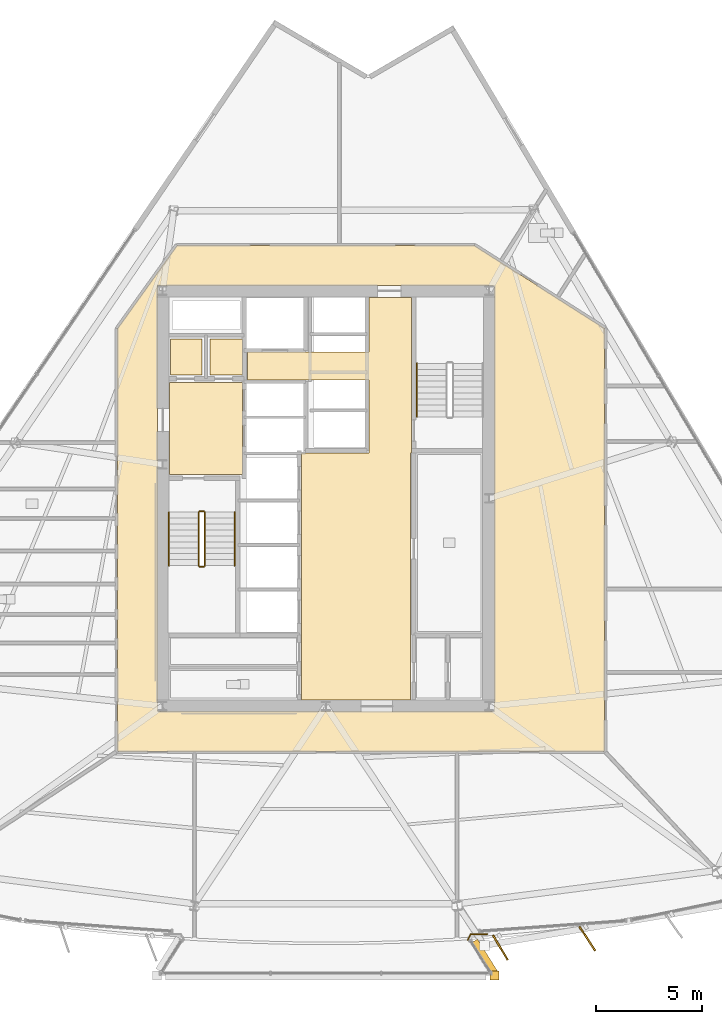
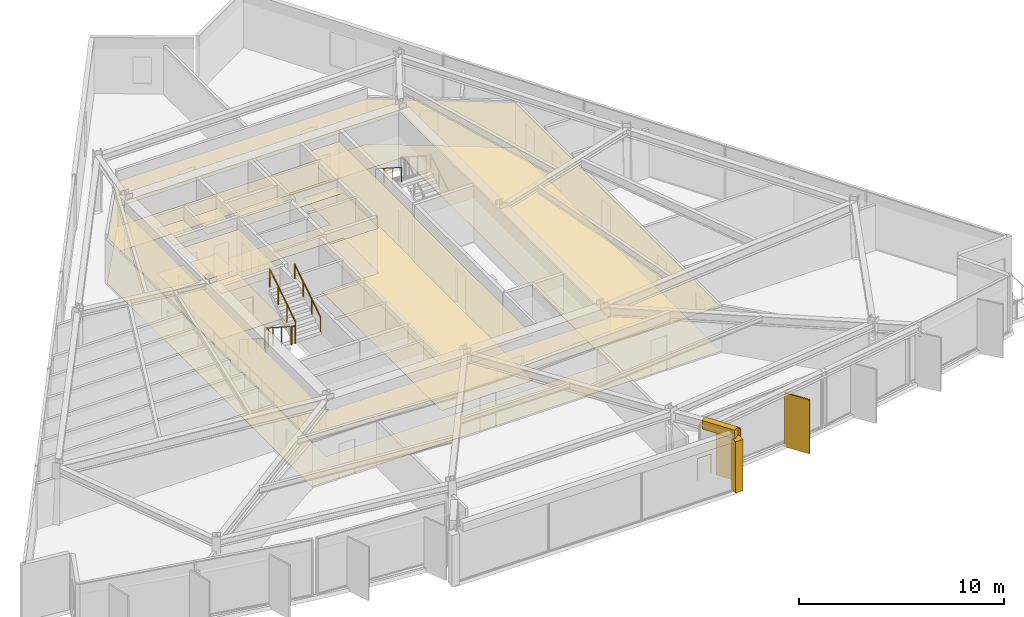
# One storey, part 12 of 15: 12 coverings, 8 railings, 2 shading devices.
"""IFC4 building model written with IfcOpenShell, lengths in metres."""

from ifc_helpers import new_model, si_unit, direction, frame, origin, origin_2d, place, context, subcontext, project, spatial, polyline, rectangle, circle, outline, extrude, material, layer, layer_set, type_object, element, save


model = new_model("IFC4")

# Units and contexts
model_context = context("Model", 3, precision=1e-05, world=origin(), true_north=direction((0.0, 1.0)))
body_context = subcontext(model_context, "Body", "Model", "MODEL_VIEW")
ifc_project = project(units=[si_unit("LENGTHUNIT", "METRE"), si_unit("AREAUNIT", "SQUARE_METRE"), si_unit("VOLUMEUNIT", "CUBIC_METRE"), si_unit("PLANEANGLEUNIT", "RADIAN"), si_unit("MASSUNIT", "GRAM", prefix="KILO")], contexts=[model_context])

# Site, building, storey
site_placement = place(None, origin())
site = spatial("IfcSite", under=ifc_project, at=site_placement, CompositionType="ELEMENT")
building_placement = place(site_placement, origin())
building = spatial("IfcBuilding", under=site, at=building_placement, Name="Savorim Split Tower", CompositionType="ELEMENT")
storey_placement = place(building_placement, frame((0.0, 0.0, 118.5)))
storey = spatial("IfcBuildingStorey", under=building, at=storey_placement, Name="L31", CompositionType="ELEMENT", Elevation=118.5)

# Coverings
ifc_material_1 = material(Name="Mineral Fibre Acoustic Ceiling")
ifc_layer_1 = layer(ifc_material_1, 0.02490234375)
ifc_layer_set_1 = layer_set([ifc_layer_1], Name="COV-CEIL-25")
covering_type_1 = type_object("IfcCoveringType", Name="COV-CEIL-25", PredefinedType="CEILING", material=ifc_layer_set_1)
covering_1_placement = place(storey_placement, frame((0.0, 0.0, 2.669921875)))
element("IfcCovering", 1, at=covering_1_placement, inside=storey, type_object=covering_type_1, Name="L31 Firefighting Lift Lobby Acoustic Ceiling", PredefinedType="CEILING", context=body_context, shape_type="SweptSolid", body=[
    extrude(outline(polyline([(-7.3798828125, 5.8701171875), (-7.3798828125, 1.530029296875), (-3.929931640625, 1.530029296875), (-3.929931640625, 5.8701171875), (-7.3798828125, 5.8701171875)])), origin(), (0.0, 0.0, 1.0), 0.025146484375),
])
covering_2_placement = place(storey_placement, frame((0.0, 0.0, 2.669921875)))
element("IfcCovering", 2, at=covering_2_placement, inside=storey, type_object=covering_type_1, Name="L31 Electrical Riser Acoustic Ceiling", PredefinedType="CEILING", context=body_context, shape_type="SweptSolid", body=[
    extrude(outline(polyline([(-7.320068359375, 7.919921875), (-7.320068359375, 6.22998046875), (-5.830078125, 6.22998046875), (-5.830078125, 7.919921875), (-7.320068359375, 7.919921875)])), origin(), (0.0, 0.0, 1.0), 0.025146484375),
])
covering_3_placement = place(storey_placement, frame((0.0, 0.0, 2.669921875)))
element("IfcCovering", 3, at=covering_3_placement, inside=storey, type_object=covering_type_1, Name="L31 Telecom Riser Acoustic Ceiling", PredefinedType="CEILING", context=body_context, shape_type="SweptSolid", body=[
    extrude(outline(polyline([(-5.469970703125, 7.919921875), (-5.469970703125, 6.22998046875), (-3.929931640625, 6.22998046875), (-3.929931640625, 7.919921875), (-5.469970703125, 7.919921875)])), origin(), (0.0, 0.0, 1.0), 0.025146484375),
])
covering_4_placement = place(storey_placement, frame((0.0, 0.0, 2.669921875)))
element("IfcCovering", 4, at=covering_4_placement, inside=storey, type_object=covering_type_1, Name="L31 Lift Lobby Acoustic Ceiling", PredefinedType="CEILING", context=body_context, shape_type="SweptSolid", body=[
    extrude(outline(polyline([(2.050048828125, 2.550048828125), (-1.14990234375, 2.550048828125), (-1.14990234375, -9.10009765625), (4.0, -9.10009765625), (4.0, 2.550048828125), (4.050048828125, 2.550048828125), (4.050048828125, 5.97998046875), (4.050048828125, 7.300048828125), (4.050048828125, 9.8798828125), (2.050048828125, 9.8798828125), (2.050048828125, 7.300048828125), (-3.699951171875, 7.300048828125), (-3.699951171875, 5.97998046875), (2.050048828125, 5.97998046875), (2.050048828125, 2.550048828125)])), origin(), (0.0, 0.0, 1.0), 0.025146484375),
])
covering_5_placement = place(storey_placement, frame((0.0, 0.0, 2.669921875)))
element("IfcCovering", 5, at=covering_5_placement, inside=storey, type_object=covering_type_1, Name="L31 Corridor Acoustic Ceiling", PredefinedType="CEILING", context=body_context, shape_type="SweptSolid", body=[
    extrude(outline(polyline([(7.009521484375, 12.3291015625), (7.004638671875, 12.329833984375), (7.0, 12.330078125), (-7.0, 12.330078125), (-7.004638671875, 12.329833984375), (-7.009521484375, 12.3291015625), (-7.013916015625, 12.327880859375), (-7.0185546875, 12.326416015625), (-7.022705078125, 12.324462890625), (-7.027099609375, 12.322021484375), (-7.03076171875, 12.3193359375), (-7.034423828125, 12.31640625), (-7.03759765625, 12.312744140625), (-7.04052734375, 12.30908203125), (-9.820556640625, 8.42919921875), (-9.823486328125, 8.4248046875), (-9.82568359375, 8.420166015625), (-9.82763671875, 8.415283203125), (-9.828857421875, 8.410400390625), (-9.82958984375, 8.4052734375), (-9.830078125, 8.39990234375), (-9.830078125, -11.47998046875), (-9.829833984375, -11.48486328125), (-9.8291015625, -11.48974609375), (-9.827880859375, -11.494384765625), (-9.826171875, -11.4990234375), (-9.82421875, -11.503662109375), (-9.821533203125, -11.5078125), (-9.818603515625, -11.51171875), (-9.8154296875, -11.515380859375), (-9.811767578125, -11.518798828125), (-9.807861328125, -11.521484375), (-9.8037109375, -11.524169921875), (-9.799072265625, -11.526123046875), (-9.79443359375, -11.52783203125), (-9.789794921875, -11.529052734375), (-9.784912109375, -11.52978515625), (-9.780029296875, -11.530029296875), (13.10009765625, -11.530029296875), (13.10498046875, -11.52978515625), (13.10986328125, -11.529052734375), (13.114501953125, -11.52783203125), (13.119140625, -11.526123046875), (13.12353515625, -11.524169921875), (13.127685546875, -11.521484375), (13.131591796875, -11.518798828125), (13.135498046875, -11.515380859375), (13.138671875, -11.51171875), (13.1416015625, -11.5078125), (13.14404296875, -11.503662109375), (13.146240234375, -11.4990234375), (13.147705078125, -11.494384765625), (13.14892578125, -11.48974609375), (13.14990234375, -11.48486328125), (13.14990234375, -11.47998046875), (13.14990234375, 8.39990234375), (13.149658203125, 8.405029296875), (13.14892578125, 8.409912109375), (13.147705078125, 8.414794921875), (13.14599609375, 8.41943359375), (13.143798828125, 8.424072265625), (13.14111328125, 8.42822265625), (13.13818359375, 8.432373046875), (13.134765625, 8.43603515625), (13.130859375, 8.439208984375), (13.126708984375, 8.442138671875), (7.02685546875, 12.322265625), (7.022705078125, 12.324462890625), (7.018310546875, 12.326416015625), (7.013916015625, 12.327880859375), (7.009521484375, 12.3291015625)]), holes=[polyline([(-7.949951171875, 10.449951171875), (-7.949951171875, -9.64990234375), (7.949951171875, -9.64990234375), (7.949951171875, 10.449951171875), (-7.949951171875, 10.449951171875)])]), origin(), (0.0, 0.0, 1.0), 0.025146484375),
])
ifc_material_2 = material(Name="Porcelain Stoneware Flooring", Category="masonry")
ifc_layer_2 = layer(ifc_material_2, 0.02001953125)
ifc_layer_set_2 = layer_set([ifc_layer_2], Name="COV-FLOR-20")
covering_type_2 = type_object("IfcCoveringType", Name="COV-FLOR-20", PredefinedType="FLOORING", material=ifc_layer_set_2)
covering_6_placement = place(storey_placement, origin())
element("IfcCovering", 6, at=covering_6_placement, inside=storey, type_object=covering_type_2, Name="L31 Firefighting Lift Lobby Porcelain Flooring", PredefinedType="FLOORING", context=body_context, shape_type="SweptSolid", body=[
    extrude(outline(polyline([(-7.3798828125, 5.8701171875), (-7.3798828125, 1.530029296875), (-3.929931640625, 1.530029296875), (-3.929931640625, 5.8701171875), (-7.3798828125, 5.8701171875)])), origin(), (0.0, 0.0, 1.0), 0.02001953125),
])
covering_7_placement = place(storey_placement, origin())
element("IfcCovering", 7, at=covering_7_placement, inside=storey, type_object=covering_type_2, Name="L31 Electrical Riser Porcelain Flooring", PredefinedType="FLOORING", context=body_context, shape_type="SweptSolid", body=[
    extrude(outline(polyline([(-7.320068359375, 7.919921875), (-7.320068359375, 6.22998046875), (-5.830078125, 6.22998046875), (-5.830078125, 7.919921875), (-7.320068359375, 7.919921875)])), origin(), (0.0, 0.0, 1.0), 0.02001953125),
])
covering_8_placement = place(storey_placement, origin())
element("IfcCovering", 8, at=covering_8_placement, inside=storey, type_object=covering_type_2, Name="L31 Telecom Riser Porcelain Flooring", PredefinedType="FLOORING", context=body_context, shape_type="SweptSolid", body=[
    extrude(outline(polyline([(-5.469970703125, 7.919921875), (-5.469970703125, 6.22998046875), (-3.929931640625, 6.22998046875), (-3.929931640625, 7.919921875), (-5.469970703125, 7.919921875)])), origin(), (0.0, 0.0, 1.0), 0.02001953125),
])
covering_9_placement = place(storey_placement, origin())
element("IfcCovering", 9, at=covering_9_placement, inside=storey, type_object=covering_type_2, Name="L31 Lift Lobby Porcelain Flooring", PredefinedType="FLOORING", context=body_context, shape_type="SweptSolid", body=[
    extrude(outline(polyline([(2.050048828125, 2.550048828125), (-1.14990234375, 2.550048828125), (-1.14990234375, -9.10009765625), (4.0, -9.10009765625), (4.0, 2.550048828125), (4.050048828125, 2.550048828125), (4.050048828125, 5.97998046875), (4.050048828125, 7.300048828125), (4.050048828125, 9.8798828125), (2.050048828125, 9.8798828125), (2.050048828125, 7.300048828125), (-3.699951171875, 7.300048828125), (-3.699951171875, 5.97998046875), (2.050048828125, 5.97998046875), (2.050048828125, 2.550048828125)])), origin(), (0.0, 0.0, 1.0), 0.02001953125),
])
covering_10_placement = place(storey_placement, origin())
element("IfcCovering", 10, at=covering_10_placement, inside=storey, type_object=covering_type_2, Name="L31 Corridor Porcelain Flooring", PredefinedType="FLOORING", context=body_context, shape_type="SweptSolid", body=[
    extrude(outline(polyline([(7.009521484375, 12.3291015625), (7.004638671875, 12.329833984375), (7.0, 12.330078125), (-7.0, 12.330078125), (-7.004638671875, 12.329833984375), (-7.009521484375, 12.3291015625), (-7.013916015625, 12.327880859375), (-7.0185546875, 12.326416015625), (-7.022705078125, 12.324462890625), (-7.027099609375, 12.322021484375), (-7.03076171875, 12.3193359375), (-7.034423828125, 12.31640625), (-7.03759765625, 12.312744140625), (-7.04052734375, 12.30908203125), (-9.820556640625, 8.42919921875), (-9.823486328125, 8.4248046875), (-9.82568359375, 8.420166015625), (-9.82763671875, 8.415283203125), (-9.828857421875, 8.410400390625), (-9.82958984375, 8.4052734375), (-9.830078125, 8.39990234375), (-9.830078125, -11.47998046875), (-9.829833984375, -11.48486328125), (-9.8291015625, -11.48974609375), (-9.827880859375, -11.494384765625), (-9.826171875, -11.4990234375), (-9.82421875, -11.503662109375), (-9.821533203125, -11.5078125), (-9.818603515625, -11.51171875), (-9.8154296875, -11.515380859375), (-9.811767578125, -11.518798828125), (-9.807861328125, -11.521484375), (-9.8037109375, -11.524169921875), (-9.799072265625, -11.526123046875), (-9.79443359375, -11.52783203125), (-9.789794921875, -11.529052734375), (-9.784912109375, -11.52978515625), (-9.780029296875, -11.530029296875), (13.10009765625, -11.530029296875), (13.10498046875, -11.52978515625), (13.10986328125, -11.529052734375), (13.114501953125, -11.52783203125), (13.119140625, -11.526123046875), (13.12353515625, -11.524169921875), (13.127685546875, -11.521484375), (13.131591796875, -11.518798828125), (13.135498046875, -11.515380859375), (13.138671875, -11.51171875), (13.1416015625, -11.5078125), (13.14404296875, -11.503662109375), (13.146240234375, -11.4990234375), (13.147705078125, -11.494384765625), (13.14892578125, -11.48974609375), (13.14990234375, -11.48486328125), (13.14990234375, -11.47998046875), (13.14990234375, 8.39990234375), (13.149658203125, 8.405029296875), (13.14892578125, 8.409912109375), (13.147705078125, 8.414794921875), (13.14599609375, 8.41943359375), (13.143798828125, 8.424072265625), (13.14111328125, 8.42822265625), (13.13818359375, 8.432373046875), (13.134765625, 8.43603515625), (13.130859375, 8.439208984375), (13.126708984375, 8.442138671875), (7.02685546875, 12.322265625), (7.022705078125, 12.324462890625), (7.018310546875, 12.326416015625), (7.013916015625, 12.327880859375), (7.009521484375, 12.3291015625)]), holes=[polyline([(-7.949951171875, 10.449951171875), (-7.949951171875, -9.64990234375), (7.949951171875, -9.64990234375), (7.949951171875, 10.449951171875), (-7.949951171875, 10.449951171875)])]), origin(), (0.0, 0.0, 1.0), 0.02001953125),
])
ifc_material_3 = material(Name="White Porcelain Architectural Cladding")
ifc_layer_3 = layer(ifc_material_3, 0.139892578125)
ifc_layer_set_3 = layer_set([ifc_layer_3], Name="COV-FRM-WHITE")
covering_type_3 = type_object("IfcCoveringType", Name="COV-FRM-WHITE", PredefinedType="CLADDING", material=ifc_layer_set_3)
covering_11_placement = place(storey_placement, frame((0.0, 0.0, 3.080078125)))
element("IfcCovering", 11, at=covering_11_placement, inside=storey, type_object=covering_type_3, Name="L31 Cantilevered Lounge White Upper Cornice Band E", PredefinedType="CLADDING", context=body_context, shape_type="SweptSolid", body=[
    extrude(outline(polyline([(8.11083984375, -21.914794921875), (7.154296875, -20.389892578125), (6.8662109375, -20.57080078125), (7.82275390625, -22.095458984375), (8.11083984375, -21.914794921875)])), origin(), (0.0, 0.0, 1.0), 0.510009765625),
])
covering_12_placement = place(storey_placement, frame((0.0, 0.0, 0.010009765625)))
element("IfcCovering", 12, at=covering_12_placement, inside=storey, type_object=covering_type_3, Name="L31 Cantilevered Lounge White Frame Corner Post 2", PredefinedType="CLADDING", context=body_context, shape_type="SweptSolid", body=[
    extrude(outline(polyline([(7.757080078125, -22.3095703125), (8.177001953125, -22.3095703125), (8.177001953125, -21.889404296875), (7.757080078125, -21.889404296875), (7.757080078125, -22.3095703125)])), origin(), (0.0, 0.0, 1.0), 3.050048828125),
])

# Railings
ifc_material_4 = material(Name="Galvanised Painted Steel Balustrade", Category="steel")
railing_type_1 = type_object("IfcRailingType", Name="RLG-BAL-1100", PredefinedType="BALUSTRADE", material=ifc_material_4)
railing_1_placement = place(storey_placement, frame((6.6982421875, -20.424560546875, 0.0)))
element("IfcRailing", 13, at=railing_1_placement, inside=storey, type_object=railing_type_1, Name="L31 Cantilevered Lounge East Edge Closure Guard", PredefinedType="BALUSTRADE", context=body_context, shape_type="SweptSolid", body=[
    extrude(circle(Radius=0.02392578125, at=origin_2d()), frame((0.0, 0.0, 1.076171875), z_axis=(0.464364723977, 0.885644061193, 0.0), x_axis=(-0.885644061193, 0.464364723977, 0.0)), (0.0, 0.0, 1.0), 0.305908203125),
    extrude(circle(Radius=0.02392578125, at=origin_2d()), frame((0.14208984375, 0.27099609375, 1.076171875), z_axis=(1.0, 0.0, 0.0), x_axis=(0.0, 1.0, 0.0)), (0.0, 0.0, 1.0), 0.780029296875),
    extrude(circle(Radius=0.02099609375, at=origin_2d()), origin(), (0.0, 0.0, 1.0), 1.052001953125),
    extrude(circle(Radius=0.02099609375, at=origin_2d()), frame((0.14208984375, 0.27099609375, 0.0)), (0.0, 0.0, 1.0), 1.052001953125),
    extrude(circle(Radius=0.02099609375, at=origin_2d()), frame((0.922119140625, 0.27099609375, 0.0)), (0.0, 0.0, 1.0), 1.052001953125),
])
railing_type_2 = type_object("IfcRailingType", Name="RLG-HR-900", PredefinedType="HANDRAIL", material=ifc_material_4)
railing_2_placement = place(storey_placement, frame((-7.39990234375, -0.25, 0.179931640625)))
element("IfcRailing", 14, at=railing_2_placement, inside=storey, type_object=railing_type_2, Name="L31 ST-1 stair handrail 1", PredefinedType="HANDRAIL", context=body_context, shape_type="SweptSolid", body=[
    extrude(circle(Radius=0.02392578125, at=origin_2d()), frame((0.0, 0.0, 0.8759765625), z_axis=(0.0, -0.841162588446, 0.540782303519), x_axis=(1.0, 0.0, 0.0)), (0.0, 0.0, 1.0), 2.995849609375),
    extrude(circle(Radius=0.02099609375, at=origin_2d()), origin(), (0.0, 0.0, 1.0), 0.851806640625),
    extrude(circle(Radius=0.02099609375, at=origin_2d()), frame((0.0, -0.840087890625, 0.5400390625)), (0.0, 0.0, 1.0), 0.851806640625),
    extrude(circle(Radius=0.02099609375, at=origin_2d()), frame((0.0, -1.679931640625, 1.080078125)), (0.0, 0.0, 1.0), 0.851806640625),
    extrude(circle(Radius=0.02099609375, at=origin_2d()), frame((0.0, -2.52001953125, 1.6201171875)), (0.0, 0.0, 1.0), 0.851806640625),
])
railing_3_placement = place(storey_placement, frame((-4.300048828125, -2.77001953125, 1.97998046875)))
element("IfcRailing", 15, at=railing_3_placement, inside=storey, type_object=railing_type_2, Name="L31 ST-1 stair handrail 2", PredefinedType="HANDRAIL", context=body_context, shape_type="SweptSolid", body=[
    extrude(circle(Radius=0.02392578125, at=origin_2d()), frame((0.0, 0.0, 0.8759765625), z_axis=(0.0, 0.841162588446, 0.540782303519), x_axis=(-1.0, 0.0, 0.0)), (0.0, 0.0, 1.0), 2.995849609375),
    extrude(circle(Radius=0.02099609375, at=origin_2d()), origin(), (0.0, 0.0, 1.0), 0.851806640625),
    extrude(circle(Radius=0.02099609375, at=origin_2d()), frame((0.0, 0.840087890625, 0.5400390625)), (0.0, 0.0, 1.0), 0.851806640625),
    extrude(circle(Radius=0.02099609375, at=origin_2d()), frame((0.0, 1.679931640625, 1.080078125)), (0.0, 0.0, 1.0), 0.851806640625),
    extrude(circle(Radius=0.02099609375, at=origin_2d()), frame((0.0, 2.52001953125, 1.6201171875)), (0.0, 0.0, 1.0), 0.851806640625),
])
railing_4_placement = place(storey_placement, frame((4.300048828125, 6.77001953125, 1.97998046875)))
element("IfcRailing", 16, at=railing_4_placement, inside=storey, type_object=railing_type_2, Name="L31 ST-2 stair handrail 2", PredefinedType="HANDRAIL", context=body_context, shape_type="SweptSolid", body=[
    extrude(circle(Radius=0.02392578125, at=origin_2d()), frame((0.0, 0.0, 0.8759765625), z_axis=(0.0, -0.841162588446, 0.540782303519), x_axis=(1.0, 0.0, 0.0)), (0.0, 0.0, 1.0), 2.995849609375),
    extrude(circle(Radius=0.02099609375, at=origin_2d()), origin(), (0.0, 0.0, 1.0), 0.851806640625),
    extrude(circle(Radius=0.02099609375, at=origin_2d()), frame((0.0, -0.840087890625, 0.5400390625)), (0.0, 0.0, 1.0), 0.851806640625),
    extrude(circle(Radius=0.02099609375, at=origin_2d()), frame((0.0, -1.679931640625, 1.080078125)), (0.0, 0.0, 1.0), 0.851806640625),
    extrude(circle(Radius=0.02099609375, at=origin_2d()), frame((0.0, -2.52001953125, 1.6201171875)), (0.0, 0.0, 1.0), 0.851806640625),
])
railing_type_3 = type_object("IfcRailingType", Name="RLG-STG-1100", PredefinedType="BALUSTRADE", material=ifc_material_4)
railing_5_placement = place(storey_placement, frame((-6.0, -0.25, 0.179931640625)))
element("IfcRailing", 17, at=railing_5_placement, inside=storey, type_object=railing_type_3, Name="L31 ST-1 stair guard 1", PredefinedType="BALUSTRADE", context=body_context, shape_type="SweptSolid", body=[
    extrude(circle(Radius=0.02392578125, at=origin_2d()), frame((0.0, 0.0, 1.076171875), z_axis=(0.0, -0.841162588446, 0.540782303519), x_axis=(1.0, 0.0, 0.0)), (0.0, 0.0, 1.0), 2.995849609375),
    extrude(circle(Radius=0.02099609375, at=origin_2d()), origin(), (0.0, 0.0, 1.0), 1.052001953125),
    extrude(circle(Radius=0.02099609375, at=origin_2d()), frame((0.0, -0.840087890625, 0.5400390625)), (0.0, 0.0, 1.0), 1.052001953125),
    extrude(circle(Radius=0.02099609375, at=origin_2d()), frame((0.0, -1.679931640625, 1.080078125)), (0.0, 0.0, 1.0), 1.052001953125),
    extrude(circle(Radius=0.02099609375, at=origin_2d()), frame((0.0, -2.52001953125, 1.6201171875)), (0.0, 0.0, 1.0), 1.052001953125),
])
railing_6_placement = place(storey_placement, frame((-5.949951171875, -2.820068359375, 1.800048828125)))
element("IfcRailing", 18, at=railing_6_placement, inside=storey, type_object=railing_type_3, Name="L31 ST-1 stair guard 2", PredefinedType="BALUSTRADE", context=body_context, shape_type="SweptSolid", body=[
    extrude(circle(Radius=0.02392578125, at=origin_2d()), frame((0.0, 0.0, 1.076171875), z_axis=(1.0, 0.0, 0.0), x_axis=(0.0, 1.0, 0.0)), (0.0, 0.0, 1.0), 0.199951171875),
    extrude(circle(Radius=0.02099609375, at=origin_2d()), origin(), (0.0, 0.0, 1.0), 1.052001953125),
    extrude(circle(Radius=0.02099609375, at=origin_2d()), frame((0.199951171875, 0.0, 0.0)), (0.0, 0.0, 1.0), 1.052001953125),
])
railing_7_placement = place(storey_placement, frame((-5.699951171875, -2.77001953125, 1.97998046875)))
element("IfcRailing", 19, at=railing_7_placement, inside=storey, type_object=railing_type_3, Name="L31 ST-1 stair guard 3", PredefinedType="BALUSTRADE", context=body_context, shape_type="SweptSolid", body=[
    extrude(circle(Radius=0.02392578125, at=origin_2d()), frame((0.0, 0.0, 1.076171875), z_axis=(0.0, 0.841162588446, 0.540782303519), x_axis=(-1.0, 0.0, 0.0)), (0.0, 0.0, 1.0), 2.995849609375),
    extrude(circle(Radius=0.02099609375, at=origin_2d()), origin(), (0.0, 0.0, 1.0), 1.052001953125),
    extrude(circle(Radius=0.02099609375, at=origin_2d()), frame((0.0, 0.840087890625, 0.5400390625)), (0.0, 0.0, 1.0), 1.052001953125),
    extrude(circle(Radius=0.02099609375, at=origin_2d()), frame((0.0, 1.679931640625, 1.080078125)), (0.0, 0.0, 1.0), 1.052001953125),
    extrude(circle(Radius=0.02099609375, at=origin_2d()), frame((0.0, 2.52001953125, 1.6201171875)), (0.0, 0.0, 1.0), 1.052001953125),
])
railing_8_placement = place(storey_placement, frame((-5.949951171875, -0.199951171875, 0.0)))
element("IfcRailing", 20, at=railing_8_placement, inside=storey, type_object=railing_type_3, Name="L31 ST-1 stair guard 4", PredefinedType="BALUSTRADE", context=body_context, shape_type="SweptSolid", body=[
    extrude(circle(Radius=0.02392578125, at=origin_2d()), frame((0.0, 0.0, 1.076171875), z_axis=(1.0, 0.0, 0.0), x_axis=(0.0, 1.0, 0.0)), (0.0, 0.0, 1.0), 0.199951171875),
    extrude(circle(Radius=0.02099609375, at=origin_2d()), origin(), (0.0, 0.0, 1.0), 1.052001953125),
    extrude(circle(Radius=0.02099609375, at=origin_2d()), frame((0.199951171875, 0.0, 0.0)), (0.0, 0.0, 1.0), 1.052001953125),
])

# Shading devices
ifc_material_5 = material(Name="Terracotta Ceramic-Coated Aluminium Fin", Category="masonry")
shading_device_type = type_object("IfcShadingDeviceType", Name="SHD-FIN-1360", PredefinedType="USERDEFINED", material=ifc_material_5)
for number, where, z_axis, x_axis, name in (
    (21, (8.235595703125, -20.7900390625, -0.2001953125), (0.0, 0.0, 1.0), (0.510391336723, -0.859942255851, 0.0), "L31 Sawtooth Shading Fin 09"),
    (22, (12.3359375, -20.368896484375, -0.2001953125), (0.0, 0.0, 1.0), (0.545148321708, -0.838339613366, 0.0), "L31 Sawtooth Shading Fin 10"),
):
    element("IfcShadingDevice", number, at=place(storey_placement, frame(where, z_axis=z_axis, x_axis=x_axis)), inside=storey, type_object=shading_device_type, Name=name, ObjectType="FIN", PredefinedType="USERDEFINED", context=body_context, shape_type="SweptSolid", body=[
        extrude(rectangle(XDim=1.360107421875, YDim=0.080078125, at=origin_2d()), origin(), (0.0, 0.0, 1.0), 3.199951171875),
    ])

save(model, "model.ifc")
